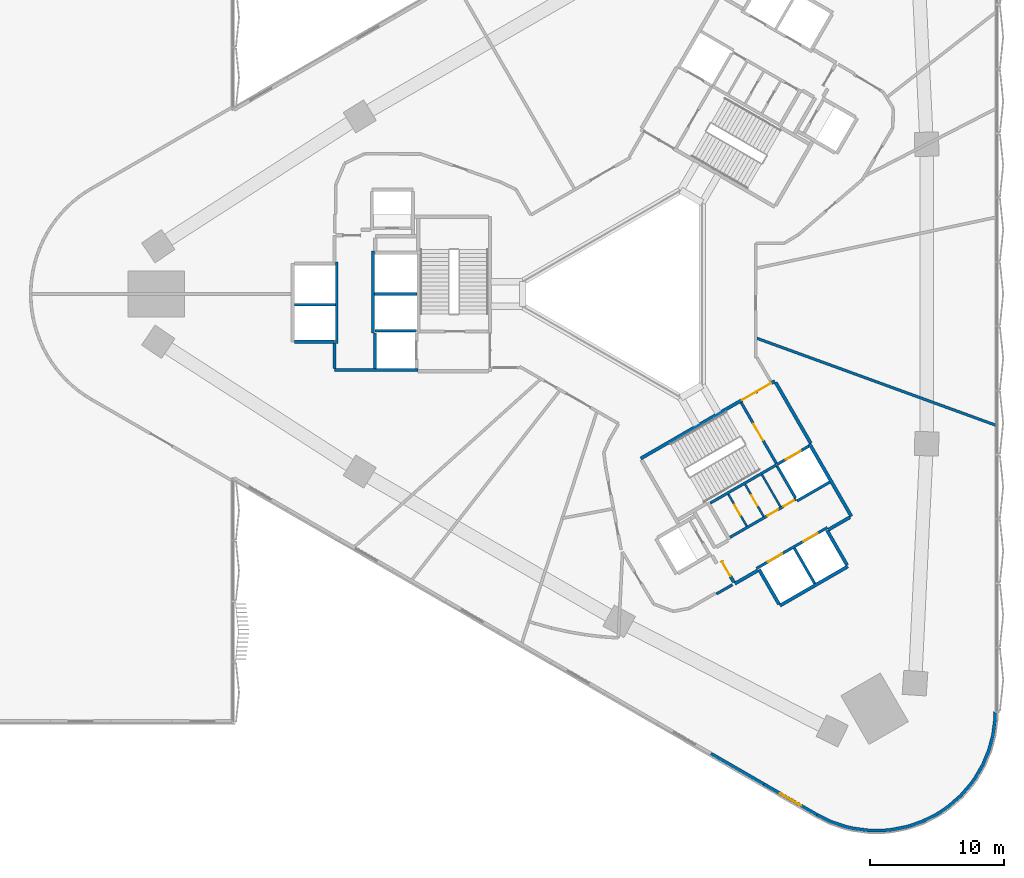
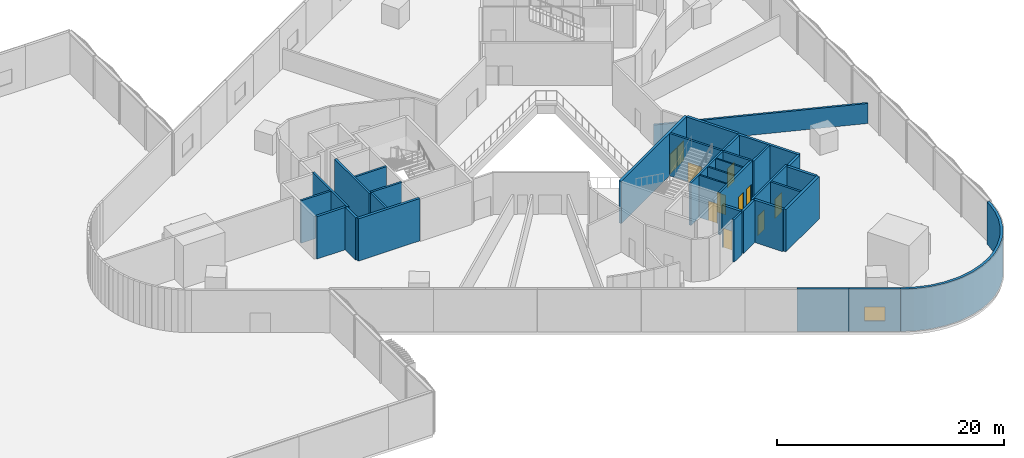
# One storey, part 13 of 24: 34 walls, 11 doors, 1 window, 12 openings.
"""IFC4 building model written with IfcOpenShell, lengths in metres."""

import ifcopenshell
import ifcopenshell.guid

model = None  # the IFC model being written
_history = None  # IfcOwnerHistory: only IFC2X3 demands one
_inside = {}  # id of a spatial element -> (the spatial element, [elements in it])
_under = {}  # id of a project, library or spatial element -> (it, [spatial elements below it])
_declared = {}  # id of a project -> (the project, [libraries it declares])
_typed = {}  # id of a type object -> (the type object, [elements of that type])
_made_of = {}  # id of a material, layer set ... -> (it, [elements and type objects made of it])


def new_model(schema):
    """Start an empty IFC model of exactly this schema.

    Asked for "IFC4X3", IfcOpenShell would pick the latest addendum, in which some entities
    have other attributes; the version numbers below select the first issue.
    IFC2X3 requires an IfcOwnerHistory on every rooted entity: one is made here for all.
    """
    global model, _history
    if schema == "IFC4X3":
        model = ifcopenshell.file(schema_version=(4, 3, 0, 0))
    else:
        model = ifcopenshell.file(schema=schema)
    _inside.clear()
    _under.clear()
    _declared.clear()
    _typed.clear()
    _made_of.clear()
    _history = None
    if model.schema == "IFC2X3":
        org = make("IfcOrganization", Name="unknown")
        user = make(
            "IfcPersonAndOrganization",
            ThePerson=make("IfcPerson", FamilyName="unknown"),
            TheOrganization=org,
        )
        app = make(
            "IfcApplication",
            ApplicationDeveloper=org,
            Version="unknown",
            ApplicationFullName="unknown",
            ApplicationIdentifier="unknown",
        )
        _history = make(
            "IfcOwnerHistory",
            OwningUser=user,
            OwningApplication=app,
            ChangeAction="ADDED",
            CreationDate=0,
        )
    return model


def make(cls, **values):
    """One entity of the class cls with the attributes given. An attribute that is None is left unset."""
    return model.create_entity(
        cls, **{name: value for name, value in values.items() if value is not None}
    )


def rooted(cls, **values):
    """An entity with a GlobalId (a new one), such as an element, a storey or a relation."""
    return make(cls, GlobalId=ifcopenshell.guid.new(), OwnerHistory=_history, **values)


def si_unit(unit_type, name, prefix=None):
    """IfcSIUnit, for example si_unit("LENGTHUNIT", "METRE", prefix="MILLI")."""
    return make("IfcSIUnit", UnitType=unit_type, Prefix=prefix, Name=name)


def assignment(units):
    """IfcUnitAssignment: the units of a project."""
    return None if units is None else make("IfcUnitAssignment", Units=units)


def point(xyz):
    """IfcCartesianPoint."""
    return None if xyz is None else make("IfcCartesianPoint", Coordinates=xyz)


def direction(xyz):
    """IfcDirection."""
    return None if xyz is None else make("IfcDirection", DirectionRatios=xyz)


def frame(location, z_axis=None, x_axis=None):
    """IfcAxis2Placement3D, a coordinate frame: its origin and axes. An axis left out is left unset."""
    return make(
        "IfcAxis2Placement3D",
        Location=point(location),
        Axis=direction(z_axis),
        RefDirection=direction(x_axis),
    )


def frame_2d(location, x_axis=None):
    """IfcAxis2Placement2D, a coordinate frame in the plane: its origin and x axis."""
    return make(
        "IfcAxis2Placement2D", Location=point(location), RefDirection=direction(x_axis)
    )


def origin():
    """The frame at (0, 0, 0) with its axes left unset."""
    return frame((0.0, 0.0, 0.0))


def place(relative_to, where):
    """IfcLocalPlacement: puts the frame where relative to a parent placement (None: the world)."""
    return make(
        "IfcLocalPlacement", PlacementRelTo=relative_to, RelativePlacement=where
    )


def context(
    kind, dimensions, precision=None, world=None, true_north=None, identifier=None
):
    """IfcGeometricRepresentationContext, for example the 3D "Model" context."""
    return make(
        "IfcGeometricRepresentationContext",
        ContextIdentifier=identifier,
        ContextType=kind,
        CoordinateSpaceDimension=dimensions,
        Precision=precision,
        WorldCoordinateSystem=world,
        TrueNorth=true_north,
    )


def subcontext(parent, identifier, kind, view, scale=None):
    """IfcGeometricRepresentationSubContext, for example "Body" below "Model"."""
    return make(
        "IfcGeometricRepresentationSubContext",
        ContextIdentifier=identifier,
        ContextType=kind,
        ParentContext=parent,
        TargetScale=scale,
        TargetView=view,
    )


def project(units=None, contexts=None):
    """IfcProject with its units and contexts."""
    return rooted(
        "IfcProject",
        Name="project",
        RepresentationContexts=contexts,
        UnitsInContext=assignment(units),
    )


def spatial(cls, under=None, at=None, **own):
    """A site, building, storey or space (cls), placed at a placement, below another one or the project."""
    s = rooted(cls, ObjectPlacement=at, **own)
    if under is not None:
        _under.setdefault(under.id(), (under, []))[1].append(s)
    return s


def polyline(points):
    """IfcPolyline through the points."""
    return make("IfcPolyline", Points=[point(p) for p in points])


def profile(cls, at=None, kind="AREA", **sizes):
    """A parametric profile (cls). Its sizes go by their IFC names, for example OverallWidth=200.0."""
    return make(cls, ProfileType=kind, Position=at, **sizes)


def rectangle(**sizes):
    """IfcRectangleProfileDef."""
    return profile("IfcRectangleProfileDef", **sizes)


def outline(outer, holes=None, kind="AREA"):
    """IfcArbitraryClosedProfileDef: a profile drawn as a closed curve; with holes, ...WithVoids."""
    if holes is None:
        return make("IfcArbitraryClosedProfileDef", ProfileType=kind, OuterCurve=outer)
    return make(
        "IfcArbitraryProfileDefWithVoids",
        ProfileType=kind,
        OuterCurve=outer,
        InnerCurves=holes,
    )


def extrude(swept, where, along, depth):
    """IfcExtrudedAreaSolid: the profile swept, set in the frame where, extruded along a direction by depth."""
    return make(
        "IfcExtrudedAreaSolid",
        SweptArea=swept,
        Position=where,
        ExtrudedDirection=direction(along),
        Depth=depth,
    )


def shape(context_of_items, identifier, shape_type, items):
    """IfcShapeRepresentation: the items that make up one representation, for example the "Body"."""
    return make(
        "IfcShapeRepresentation",
        ContextOfItems=context_of_items,
        RepresentationIdentifier=identifier,
        RepresentationType=shape_type,
        Items=items,
    )


def material(Name=None, Category=None):
    """IfcMaterial."""
    return make("IfcMaterial", Name=Name, Category=Category)


def layer(
    of_material, thickness, ventilated=None, Name=None, Category=None, Priority=None
):
    """IfcMaterialLayer: one layer of a wall or slab, of a material (None: an air gap)."""
    return make(
        "IfcMaterialLayer",
        Material=of_material,
        LayerThickness=thickness,
        IsVentilated=ventilated,
        Name=Name,
        Category=Category,
        Priority=Priority,
    )


def layer_set(layers, Name=None):
    """IfcMaterialLayerSet."""
    return make("IfcMaterialLayerSet", MaterialLayers=layers, LayerSetName=Name)


def made_of(thing, what):
    """Note that an element or type object is made of a material, layer set ...; save() writes the relation."""
    if what is not None:
        _made_of.setdefault(what.id(), (what, []))[1].append(thing)
    return thing


def type_object(cls, material=None, **own):
    """A type object (cls), such as IfcWallType, which elements share."""
    return made_of(rooted(cls, **own), material)


def element(
    cls,
    number,
    at=None,
    inside=None,
    cuts=None,
    type_object=None,
    material=None,
    context=None,
    identifier="Body",
    shape_type=None,
    held_by="IfcProductDefinitionShape",
    body=None,
    shapes=None,
    **own,
):
    """One element of the class cls, such as IfcWall. Its Tag is "e" and its number.

    at: its placement. inside: the storey or other place that contains it. cuts: it is an
    opening in that element (IfcRelVoidsElement). A single representation is given by context,
    identifier, shape_type and body (its items); several are given by shapes. held_by: the class
    of the entity that holds the representations. save() writes the other relations.
    """
    e = rooted(cls, Tag="e%d" % number, ObjectPlacement=at, **own)
    if body is not None:
        shapes = [shape(context, identifier, shape_type, body)]
    if shapes is not None:
        e.Representation = make(held_by, Representations=shapes)
    if inside is not None:
        _inside.setdefault(inside.id(), (inside, []))[1].append(e)
    if cuts is not None:
        rooted(
            "IfcRelVoidsElement", RelatingBuildingElement=cuts, RelatedOpeningElement=e
        )
    if type_object is not None:
        _typed.setdefault(type_object.id(), (type_object, []))[1].append(e)
    return made_of(e, material)


def fill(opening, filler):
    """IfcRelFillsElement: the door or window that sits in an opening."""
    return rooted(
        "IfcRelFillsElement",
        RelatingOpeningElement=opening,
        RelatedBuildingElement=filler,
    )


def aggregate(whole, parts):
    """IfcRelAggregates: a whole, such as a stair, and the parts it consists of."""
    return rooted("IfcRelAggregates", RelatingObject=whole, RelatedObjects=parts)


def save(model, path):
    """Write the relations noted so far, then the file.

    IfcRelAggregates (storeys below a building ...), IfcRelContainedInSpatialStructure (elements
    in a storey), IfcRelDefinesByType, IfcRelAssociatesMaterial and IfcRelDeclares: one each for
    every whole, place, type object, material and project.
    """
    for whole, parts in _under.values():
        aggregate(whole, parts)
    for where, things in _inside.values():
        rooted(
            "IfcRelContainedInSpatialStructure",
            RelatedElements=things,
            RelatingStructure=where,
        )
    for kind, things in _typed.values():
        rooted("IfcRelDefinesByType", RelatedObjects=things, RelatingType=kind)
    for what, things in _made_of.values():
        rooted("IfcRelAssociatesMaterial", RelatedObjects=things, RelatingMaterial=what)
    for by, libraries in _declared.values():
        rooted("IfcRelDeclares", RelatingContext=by, RelatedDefinitions=libraries)
    model.write(path)


model = new_model("IFC4")

# Units and contexts
model_context = context("Model", 3, precision=1e-05, world=origin(), true_north=direction((0.0, 1.0)))
body_context = subcontext(model_context, "Body", "Model", "MODEL_VIEW")
ifc_project = project(units=[si_unit("LENGTHUNIT", "METRE"), si_unit("AREAUNIT", "SQUARE_METRE"), si_unit("VOLUMEUNIT", "CUBIC_METRE"), si_unit("PLANEANGLEUNIT", "RADIAN"), si_unit("MASSUNIT", "GRAM", prefix="KILO")], contexts=[model_context])

# Site, building, storey
site_placement = place(None, origin())
site = spatial("IfcSite", under=ifc_project, at=site_placement, CompositionType="ELEMENT")
building_placement = place(site_placement, origin())
building = spatial("IfcBuilding", under=site, at=building_placement, Name="Tamra Quay Hotel Tower", CompositionType="ELEMENT")
storey_placement = place(building_placement, frame((0.0, 0.0, 19.5)))
storey = spatial("IfcBuildingStorey", under=building, at=storey_placement, Name="L03", CompositionType="ELEMENT", Elevation=19.5)

# Walls
ifc_material_1 = material(Name="Concrete M70", Category="concrete")
ifc_layer_1 = layer(ifc_material_1, 0.199951171875)
ifc_layer_set_1 = layer_set([ifc_layer_1], Name="Concrete M70 core wall 200")
wall_type_1 = type_object("IfcWallType", Name="Concrete M70 core wall 200", PredefinedType="SHEAR", material=ifc_layer_set_1)
for number, where, z_axis, x_axis, name in (
    (1, (-19.5625, -2.900146484375, 0.0), (0.0, 0.0, 1.0), (0.0, 1.0, 0.0), "CW2"),
    (2, (-22.26220703125, 2.400146484375, 0.0), (0.0, 0.0, 1.0), (0.0, -1.0, 0.0), "CW2"),
):
    element("IfcWall", number, at=place(storey_placement, frame(where, z_axis=z_axis, x_axis=x_axis)), inside=storey, type_object=wall_type_1, Name=name, PredefinedType="SHEAR", context=body_context, shape_type="SweptSolid", body=[
        extrude(rectangle(XDim=6.100341796875, YDim=0.199951171875, at=frame_2d((3.05029296875, 0.0))), origin(), (0.0, 0.0, 1.0), 4.550048828125),
    ])
wall_1_placement = place(storey_placement, frame((-16.26318359375, 0.0, 0.0), z_axis=(0.0, 0.0, 1.0), x_axis=(-1.0, 0.0, 0.0)))
element("IfcWall", 3, at=wall_1_placement, inside=storey, type_object=wall_type_1, Name="CW2", PredefinedType="SHEAR", context=body_context, shape_type="SweptSolid", body=[
    extrude(rectangle(XDim=3.1982421875, YDim=0.199951171875, at=frame_2d((1.59912109375, 0.0))), origin(), (0.0, 0.0, 1.0), 4.550048828125),
])
wall_2_placement = place(storey_placement, frame((-22.36328125, -0.800048828125, 0.0), z_axis=(0.0, 0.0, 1.0), x_axis=(-1.0, 0.0, 0.0)))
element("IfcWall", 4, at=wall_2_placement, inside=storey, type_object=wall_type_1, Name="CW2", PredefinedType="SHEAR", context=body_context, shape_type="SweptSolid", body=[
    extrude(rectangle(XDim=3.048095703125, YDim=0.199951171875, at=frame_2d((1.52392578125, 0.0))), origin(), (0.0, 0.0, 1.0), 4.550048828125),
])
wall_3_placement = place(storey_placement, frame((-19.412353515625, -2.75, 0.0), z_axis=(0.0, 0.0, 1.0), x_axis=(1.0, 0.0, 0.0)))
element("IfcWall", 5, at=wall_3_placement, inside=storey, type_object=wall_type_1, Name="CW2", PredefinedType="SHEAR", context=body_context, shape_type="SweptSolid", body=[
    extrude(rectangle(XDim=3.10009765625, YDim=0.199951171875, at=frame_2d((1.550048828125, 0.0))), origin(), (0.0, 0.0, 1.0), 4.550048828125),
])
wall_4_placement = place(storey_placement, frame((-19.412353515625, -5.549072265625, 0.0), z_axis=(0.0, 0.0, 1.0), x_axis=(0.0, 1.0, 0.0)))
element("IfcWall", 6, at=wall_4_placement, inside=storey, type_object=wall_type_1, Name="CW2", PredefinedType="SHEAR", context=body_context, shape_type="SweptSolid", body=[
    extrude(rectangle(XDim=2.65087890625, YDim=0.199951171875, at=frame_2d((1.325439453125, 0.0))), origin(), (0.0, 0.0, 1.0), 4.550048828125),
])

# Wall, openings, doors
wall_5_placement = place(storey_placement, frame((9.052490234375, -20.479736328125, 0.0), z_axis=(0.0, 0.0, 1.0), x_axis=(0.866030299012, 0.499991521122, 0.0)))
wall_5 = element("IfcWall", 7, at=wall_5_placement, inside=storey, type_object=wall_type_1, Name="CW2", PredefinedType="SHEAR", context=body_context, shape_type="SweptSolid", body=[
    extrude(rectangle(XDim=6.10009765625, YDim=0.199951171875, at=frame_2d((3.050048828125, 0.0))), origin(), (0.0, 0.0, 1.0), 4.550048828125),
])
opening_1_placement = place(wall_5_placement, frame((1.0, 0.0, 0.0)))
opening_1 = element("IfcOpeningElement", 8, at=opening_1_placement, cuts=wall_5, Name="Opening LD", PredefinedType="OPENING", context=body_context, shape_type="SweptSolid", body=[
    extrude(rectangle(XDim=1.199951171875, YDim=2.10009765625, at=frame_2d((0.60009765625, 1.050048828125))), frame((0.0, 0.10986328125, 0.0), z_axis=(0.0, -1.0, 0.0), x_axis=(1.0, 0.0, 0.0)), (0.0, 0.0, 1.0), 0.219970703125),
])
opening_2_placement = place(wall_5_placement, frame((4.05029296875, 0.0, 0.0)))
opening_2 = element("IfcOpeningElement", 9, at=opening_2_placement, cuts=wall_5, Name="Opening LD", PredefinedType="OPENING", context=body_context, shape_type="SweptSolid", body=[
    extrude(rectangle(XDim=1.199951171875, YDim=2.10009765625, at=frame_2d((0.60009765625, 1.050048828125))), frame((0.0, 0.10986328125, 0.0), z_axis=(0.0, -1.0, 0.0), x_axis=(1.0, 0.0, 0.0)), (0.0, 0.0, 1.0), 0.219970703125),
])
ifc_material_2 = material(Name="Landing door LD 1200 double door sliding")
door_type_1 = type_object("IfcDoorType", Name="Landing door LD 1200 double door sliding", OperationType="DOUBLE_DOOR_SLIDING", PredefinedType="DOOR", material=ifc_material_2)
door_1_placement = place(opening_1_placement, origin())
door_1 = element("IfcDoor", 10, at=door_1_placement, inside=storey, type_object=door_type_1, Name="LD", OperationType="DOUBLE_DOOR_SLIDING", OverallHeight=2.10009765625, OverallWidth=1.199951171875, PredefinedType="DOOR", context=body_context, shape_type="SweptSolid", body=[
    extrude(rectangle(XDim=1.199951171875, YDim=2.10009765625, at=frame_2d((0.60009765625, 1.050048828125))), frame((0.0, 0.02490234375, 0.0), z_axis=(0.0, -1.0, 0.0), x_axis=(1.0, 0.0, 0.0)), (0.0, 0.0, 1.0), 0.050048828125),
])
fill(opening_1, door_1)
door_2_placement = place(opening_2_placement, origin())
door_2 = element("IfcDoor", 11, at=door_2_placement, inside=storey, type_object=door_type_1, Name="LD", OperationType="DOUBLE_DOOR_SLIDING", OverallHeight=2.10009765625, OverallWidth=1.199951171875, PredefinedType="DOOR", context=body_context, shape_type="SweptSolid", body=[
    extrude(rectangle(XDim=1.199951171875, YDim=2.10009765625, at=frame_2d((0.60009765625, 1.050048828125))), frame((0.0, 0.02490234375, 0.0), z_axis=(0.0, -1.0, 0.0), x_axis=(1.0, 0.0, 0.0)), (0.0, 0.0, 1.0), 0.050048828125),
])
fill(opening_2, door_2)

# Wall
wall_6_placement = place(storey_placement, frame((10.537841796875, -12.751953125, 0.0), z_axis=(0.0, 0.0, 1.0), x_axis=(-0.866038630372, -0.499977090179, 0.0)))
element("IfcWall", 12, at=wall_6_placement, inside=storey, type_object=wall_type_1, Name="CW2", PredefinedType="SHEAR", context=body_context, shape_type="SweptSolid", body=[
    extrude(rectangle(XDim=5.698974609375, YDim=0.199951171875, at=frame_2d((2.849609375, 0.0))), origin(), (0.0, 0.0, 1.0), 4.550048828125),
])

# Wall, openings, doors
wall_7_placement = place(storey_placement, frame((7.0771484375, -18.156005859375, 0.0), z_axis=(0.0, 0.0, 1.0), x_axis=(0.866038630372, 0.499977090179, 0.0)))
wall_7 = element("IfcWall", 13, at=wall_7_placement, inside=storey, type_object=wall_type_1, Name="CW2", PredefinedType="SHEAR", context=body_context, shape_type="SweptSolid", body=[
    extrude(rectangle(XDim=5.698974609375, YDim=0.199951171875, at=frame_2d((2.849609375, 0.0))), origin(), (0.0, 0.0, 1.0), 4.550048828125),
])
opening_3_placement = place(wall_7_placement, frame((3.22412109375, 0.0, 0.0)))
opening_3 = element("IfcOpeningElement", 14, at=opening_3_placement, cuts=wall_7, Name="Opening D2", PredefinedType="OPENING", context=body_context, shape_type="SweptSolid", body=[
    extrude(rectangle(XDim=0.89990234375, YDim=2.10009765625, at=frame_2d((0.449951171875, 1.050048828125))), frame((0.0, 0.10986328125, 0.0), z_axis=(0.0, -1.0, 0.0), x_axis=(1.0, 0.0, 0.0)), (0.0, 0.0, 1.0), 0.219970703125),
])
opening_4_placement = place(wall_7_placement, frame((4.59912109375, 0.0, 0.0)))
opening_4 = element("IfcOpeningElement", 15, at=opening_4_placement, cuts=wall_7, Name="Opening D2", PredefinedType="OPENING", context=body_context, shape_type="SweptSolid", body=[
    extrude(rectangle(XDim=0.89990234375, YDim=2.10009765625, at=frame_2d((0.449951171875, 1.050048828125))), frame((0.0, 0.10986328125, 0.0), z_axis=(0.0, -1.0, 0.0), x_axis=(1.0, 0.0, 0.0)), (0.0, 0.0, 1.0), 0.219970703125),
])
ifc_material_3 = material(Name="Core door D2 900x2100 LH")
door_type_2 = type_object("IfcDoorType", Name="Core door D2 900x2100 LH", OperationType="NOTDEFINED", PredefinedType="DOOR", material=ifc_material_3)
door_3_placement = place(opening_4_placement, origin())
door_3 = element("IfcDoor", 16, at=door_3_placement, inside=storey, type_object=door_type_2, Name="D2", OperationType="SINGLE_SWING_LEFT", OverallHeight=2.10009765625, OverallWidth=0.89990234375, PredefinedType="DOOR", context=body_context, shape_type="SweptSolid", body=[
    extrude(rectangle(XDim=0.89990234375, YDim=2.10009765625, at=frame_2d((0.449951171875, 1.050048828125))), frame((0.0, 0.02490234375, 0.0), z_axis=(0.0, -1.0, 0.0), x_axis=(1.0, 0.0, 0.0)), (0.0, 0.0, 1.0), 0.050048828125),
])
fill(opening_4, door_3)
ifc_material_4 = material(Name="Core door D2 900x2100 RH")
door_type_3 = type_object("IfcDoorType", Name="Core door D2 900x2100 RH", OperationType="NOTDEFINED", PredefinedType="DOOR", material=ifc_material_4)
door_4_placement = place(opening_3_placement, origin())
door_4 = element("IfcDoor", 17, at=door_4_placement, inside=storey, type_object=door_type_3, Name="D2", OperationType="SINGLE_SWING_RIGHT", OverallHeight=2.10009765625, OverallWidth=0.89990234375, PredefinedType="DOOR", context=body_context, shape_type="SweptSolid", body=[
    extrude(rectangle(XDim=0.89990234375, YDim=2.10009765625, at=frame_2d((0.449951171875, 1.050048828125))), frame((0.0, 0.02490234375, 0.0), z_axis=(0.0, -1.0, 0.0), x_axis=(1.0, 0.0, 0.0)), (0.0, 0.0, 1.0), 0.050048828125),
])
fill(opening_3, door_4)

# Wall, opening, door
wall_8_placement = place(storey_placement, frame((7.906494140625, -8.094482421875, 0.0), z_axis=(0.0, 0.0, 1.0), x_axis=(0.500024287448, -0.866011380966, 0.0)))
wall_8 = element("IfcWall", 18, at=wall_8_placement, inside=storey, type_object=wall_type_1, Name="CW2", PredefinedType="SHEAR", context=body_context, shape_type="SweptSolid", body=[
    extrude(rectangle(XDim=5.251220703125, YDim=0.199951171875, at=frame_2d((2.62548828125, 0.0))), origin(), (0.0, 0.0, 1.0), 4.550048828125),
])
opening_5_placement = place(wall_8_placement, frame((1.84912109375, 0.0, 0.0)))
opening_5 = element("IfcOpeningElement", 19, at=opening_5_placement, cuts=wall_8, Name="Opening FD2", PredefinedType="OPENING", context=body_context, shape_type="SweptSolid", body=[
    extrude(rectangle(XDim=1.39990234375, YDim=2.10009765625, at=frame_2d((0.699951171875, 1.050048828125))), frame((0.0, 0.10986328125, 0.0), z_axis=(0.0, -1.0, 0.0), x_axis=(1.0, 0.0, 0.0)), (0.0, 0.0, 1.0), 0.219970703125),
])
ifc_material_5 = material(Name="Core door FD2 1400x2100 LH")
door_type_4 = type_object("IfcDoorType", Name="Core door FD2 1400x2100 LH", OperationType="NOTDEFINED", PredefinedType="DOOR", material=ifc_material_5)
door_5_placement = place(opening_5_placement, origin())
door_5 = element("IfcDoor", 20, at=door_5_placement, inside=storey, type_object=door_type_4, Name="FD2", OperationType="SINGLE_SWING_LEFT", OverallHeight=2.10009765625, OverallWidth=1.39990234375, PredefinedType="DOOR", context=body_context, shape_type="SweptSolid", body=[
    extrude(rectangle(XDim=1.39990234375, YDim=2.10009765625, at=frame_2d((0.699951171875, 1.050048828125))), frame((0.0, 0.02490234375, 0.0), z_axis=(0.0, -1.0, 0.0), x_axis=(1.0, 0.0, 0.0)), (0.0, 0.0, 1.0), 0.050048828125),
])
fill(opening_5, door_5)

# Walls
wall_9_placement = place(storey_placement, frame((11.87451171875, -18.967041015625, 0.0), z_axis=(0.0, 0.0, 1.0), x_axis=(0.49998131003, -0.866036194175, 0.0)))
element("IfcWall", 21, at=wall_9_placement, inside=storey, type_object=wall_type_1, Name="CW2", PredefinedType="SHEAR", context=body_context, shape_type="SweptSolid", body=[
    extrude(rectangle(XDim=3.0478515625, YDim=0.199951171875, at=frame_2d((1.52392578125, 0.0))), origin(), (0.0, 0.0, 1.0), 4.550048828125),
])
wall_10_placement = place(storey_placement, frame((11.962646484375, -15.219970703125, 0.0), z_axis=(0.0, 0.0, 1.0), x_axis=(-0.500034990121, 0.866005201286, 0.0)))
element("IfcWall", 22, at=wall_10_placement, inside=storey, type_object=wall_type_1, Name="CW2", PredefinedType="SHEAR", context=body_context, shape_type="SweptSolid", body=[
    extrude(rectangle(XDim=2.749755859375, YDim=0.199951171875, at=frame_2d((1.375, 0.0))), origin(), (0.0, 0.0, 1.0), 4.550048828125),
])

# Wall, opening, door
wall_11_placement = place(storey_placement, frame((10.587158203125, -12.72314453125, 0.0), z_axis=(0.0, 0.0, 1.0), x_axis=(0.866037306777, 0.499979382845, 0.0)))
wall_11 = element("IfcWall", 23, at=wall_11_placement, inside=storey, type_object=wall_type_1, Name="CW2", PredefinedType="SHEAR", context=body_context, shape_type="SweptSolid", body=[
    extrude(rectangle(XDim=2.74169921875, YDim=0.199951171875, at=frame_2d((1.370849609375, 0.0))), origin(), (0.0, 0.0, 1.0), 4.550048828125),
])
opening_6_placement = place(wall_11_placement, frame((0.742919921875, 0.0, 0.0)))
opening_6 = element("IfcOpeningElement", 24, at=opening_6_placement, cuts=wall_11, Name="Opening LD", PredefinedType="OPENING", context=body_context, shape_type="SweptSolid", body=[
    extrude(rectangle(XDim=1.300048828125, YDim=2.10009765625, at=frame_2d((0.64990234375, 1.050048828125))), frame((0.0, 0.10986328125, 0.0), z_axis=(0.0, -1.0, 0.0), x_axis=(1.0, 0.0, 0.0)), (0.0, 0.0, 1.0), 0.219970703125),
])
ifc_material_6 = material(Name="Landing door LD 1300 sliding to left")
door_type_5 = type_object("IfcDoorType", Name="Landing door LD 1300 sliding to left", OperationType="NOTDEFINED", PredefinedType="DOOR", material=ifc_material_6)
door_6_placement = place(opening_6_placement, origin())
door_6 = element("IfcDoor", 25, at=door_6_placement, inside=storey, type_object=door_type_5, Name="LD", OperationType="SLIDING_TO_LEFT", OverallHeight=2.10009765625, OverallWidth=1.300048828125, PredefinedType="DOOR", context=body_context, shape_type="SweptSolid", body=[
    extrude(rectangle(XDim=1.300048828125, YDim=2.10009765625, at=frame_2d((0.64990234375, 1.050048828125))), frame((0.0, 0.02490234375, 0.0), z_axis=(0.0, -1.0, 0.0), x_axis=(1.0, 0.0, 0.0)), (0.0, 0.0, 1.0), 0.050048828125),
])
fill(opening_6, door_6)

# Walls
wall_12_placement = place(storey_placement, frame((14.51171875, -14.037109375, 0.0), z_axis=(0.0, 0.0, 1.0), x_axis=(-0.866044696403, -0.499966582715, 0.0)))
element("IfcWall", 26, at=wall_12_placement, inside=storey, type_object=wall_type_1, Name="CW2", PredefinedType="SHEAR", context=body_context, shape_type="SweptSolid", body=[
    extrude(rectangle(XDim=2.799072265625, YDim=0.199951171875, at=frame_2d((1.3994140625, 0.0))), origin(), (0.0, 0.0, 1.0), 4.550048828125),
])
ifc_layer_2 = layer(ifc_material_1, 0.25)
ifc_layer_set_2 = layer_set([ifc_layer_2], Name="Concrete M70 core wall 250")
wall_type_2 = type_object("IfcWallType", Name="Concrete M70 core wall 250", PredefinedType="SHEAR", material=ifc_layer_set_2)
wall_13_placement = place(storey_placement, frame((-16.187255859375, -5.675048828125, 0.0), z_axis=(0.0, 0.0, 1.0), x_axis=(-1.0, 0.0, 0.0)))
element("IfcWall", 27, at=wall_13_placement, inside=storey, type_object=wall_type_2, Name="CW1", PredefinedType="SHEAR", context=body_context, shape_type="SweptSolid", body=[
    extrude(rectangle(XDim=6.25, YDim=0.25, at=frame_2d((3.125, 0.0))), origin(), (0.0, 0.0, 1.0), 4.550048828125),
])
wall_14_placement = place(storey_placement, frame((-22.437255859375, -3.574951171875, 0.0), z_axis=(0.0, 0.0, 1.0), x_axis=(-1.0, 0.0, 0.0)))
element("IfcWall", 28, at=wall_14_placement, inside=storey, type_object=wall_type_2, Name="CW1", PredefinedType="SHEAR", context=body_context, shape_type="SweptSolid", body=[
    extrude(rectangle(XDim=2.974609375, YDim=0.25, at=frame_2d((1.4873046875, 0.0))), origin(), (0.0, 0.0, 1.0), 4.550048828125),
])
wall_15_placement = place(storey_placement, frame((-22.437255859375, -5.549560546875, 0.0), z_axis=(0.0, 0.0, 1.0), x_axis=(0.0, 1.0, 0.0)))
element("IfcWall", 29, at=wall_15_placement, inside=storey, type_object=wall_type_2, Name="CW1", PredefinedType="SHEAR", context=body_context, shape_type="SweptSolid", body=[
    extrude(rectangle(XDim=1.84912109375, YDim=0.25, at=frame_2d((0.924560546875, 0.0))), origin(), (0.0, 0.0, 1.0), 4.550048828125),
])

# Wall, openings, doors
wall_16_placement = place(storey_placement, frame((0.417236328125, -12.27294921875, 0.0), z_axis=(0.0, 0.0, 1.0), x_axis=(0.866021906294, 0.500006057782, 0.0)))
wall_16 = element("IfcWall", 30, at=wall_16_placement, inside=storey, type_object=wall_type_2, Name="CW1", PredefinedType="SHEAR", context=body_context, shape_type="SweptSolid", body=[
    extrude(rectangle(XDim=11.550048828125, YDim=0.25, at=frame_2d((5.77490234375, 0.0))), origin(), (0.0, 0.0, 1.0), 4.550048828125),
])
opening_7_placement = place(wall_16_placement, frame((10.024658203125, 0.0, 0.0)))
opening_7 = element("IfcOpeningElement", 31, at=opening_7_placement, cuts=wall_16, Name="Opening FD1", PredefinedType="OPENING", context=body_context, shape_type="SweptSolid", body=[
    extrude(rectangle(XDim=1.199951171875, YDim=2.10009765625, at=frame_2d((0.60009765625, 1.050048828125))), frame((0.0, 0.135009765625, 0.0), z_axis=(0.0, -1.0, 0.0), x_axis=(1.0, 0.0, 0.0)), (0.0, 0.0, 1.0), 0.27001953125),
])
opening_8_placement = place(wall_16_placement, frame((8.724609375, 0.0, 0.0)))
opening_8 = element("IfcOpeningElement", 32, at=opening_8_placement, cuts=wall_16, Name="Opening FD1", PredefinedType="OPENING", context=body_context, shape_type="SweptSolid", body=[
    extrude(rectangle(XDim=1.199951171875, YDim=2.10009765625, at=frame_2d((0.60009765625, 1.050048828125))), frame((0.0, 0.135009765625, 0.0), z_axis=(0.0, -1.0, 0.0), x_axis=(1.0, 0.0, 0.0)), (0.0, 0.0, 1.0), 0.27001953125),
])
ifc_material_7 = material(Name="Core door FD1 1200x2100 LH")
door_type_6 = type_object("IfcDoorType", Name="Core door FD1 1200x2100 LH", OperationType="NOTDEFINED", PredefinedType="DOOR", material=ifc_material_7)
door_7_placement = place(opening_7_placement, origin())
door_7 = element("IfcDoor", 33, at=door_7_placement, inside=storey, type_object=door_type_6, Name="FD1", OperationType="SINGLE_SWING_LEFT", OverallHeight=2.10009765625, OverallWidth=1.199951171875, PredefinedType="DOOR", context=body_context, shape_type="SweptSolid", body=[
    extrude(rectangle(XDim=1.199951171875, YDim=2.10009765625, at=frame_2d((0.60009765625, 1.050048828125))), frame((0.0, 0.02490234375, 0.0), z_axis=(0.0, -1.0, 0.0), x_axis=(1.0, 0.0, 0.0)), (0.0, 0.0, 1.0), 0.050048828125),
])
fill(opening_7, door_7)
ifc_material_8 = material(Name="Core door FD1 1200x2100 RH")
door_type_7 = type_object("IfcDoorType", Name="Core door FD1 1200x2100 RH", OperationType="NOTDEFINED", PredefinedType="DOOR", material=ifc_material_8)
door_8_placement = place(opening_8_placement, origin())
door_8 = element("IfcDoor", 34, at=door_8_placement, inside=storey, type_object=door_type_7, Name="FD1", OperationType="SINGLE_SWING_RIGHT", OverallHeight=2.10009765625, OverallWidth=1.199951171875, PredefinedType="DOOR", context=body_context, shape_type="SweptSolid", body=[
    extrude(rectangle(XDim=1.199951171875, YDim=2.10009765625, at=frame_2d((0.60009765625, 1.050048828125))), frame((0.0, 0.02490234375, 0.0), z_axis=(0.0, -1.0, 0.0), x_axis=(1.0, 0.0, 0.0)), (0.0, 0.0, 1.0), 0.050048828125),
])
fill(opening_8, door_8)

# Walls
wall_17_placement = place(storey_placement, frame((13.00830078125, -11.18115234375, 0.0), z_axis=(0.0, 0.0, 1.0), x_axis=(0.500004234368, -0.866022959057, 0.0)))
element("IfcWall", 35, at=wall_17_placement, inside=storey, type_object=wall_type_2, Name="CW1", PredefinedType="SHEAR", context=body_context, shape_type="SweptSolid", body=[
    extrude(rectangle(XDim=6.25, YDim=0.25, at=frame_2d((3.125, 0.0))), origin(), (0.0, 0.0, 1.0), 4.550048828125),
])
wall_18_placement = place(storey_placement, frame((15.86474609375, -20.328369140625, 0.0), z_axis=(0.0, 0.0, 1.0), x_axis=(-0.86602852612, -0.499994591916, 0.0)))
element("IfcWall", 36, at=wall_18_placement, inside=storey, type_object=wall_type_2, Name="CW1", PredefinedType="SHEAR", context=body_context, shape_type="SweptSolid", body=[
    extrude(rectangle(XDim=5.85009765625, YDim=0.25, at=frame_2d((2.925048828125, 0.0))), origin(), (0.0, 0.0, 1.0), 4.550048828125),
])
wall_19_placement = place(storey_placement, frame((10.482666015625, -6.6064453125, 0.0), z_axis=(0.0, 0.0, 1.0), x_axis=(0.49999885962, -0.866026062182, 0.0)))
element("IfcWall", 37, at=wall_19_placement, inside=storey, type_object=wall_type_2, Name="CW1", PredefinedType="SHEAR", context=body_context, shape_type="SweptSolid", body=[
    extrude(rectangle(XDim=5.224609375, YDim=0.25, at=frame_2d((2.6123046875, 0.0))), origin(), (0.0, 0.0, 1.0), 4.550048828125),
])
for number, where, z_axis, x_axis, name in (
    (38, (14.314697265625, -17.643798828125, 0.0), (0.0, 0.0, 1.0), (0.500023226632, -0.866011993467, 0.0), "CW1"),
    (39, (10.73583984375, -23.144775390625, 0.0), (0.0, 0.0, 1.0), (-0.500023226632, 0.866011993467, 0.0), "CW1"),
):
    element("IfcWall", number, at=place(storey_placement, frame(where, z_axis=z_axis, x_axis=x_axis)), inside=storey, type_object=wall_type_2, Name=name, PredefinedType="SHEAR", context=body_context, shape_type="SweptSolid", body=[
        extrude(rectangle(XDim=2.974365234375, YDim=0.25, at=frame_2d((1.4873046875, 0.0))), origin(), (0.0, 0.0, 1.0), 4.550048828125),
    ])
wall_20_placement = place(storey_placement, frame((9.139892578125, -20.63134765625, 0.0), z_axis=(0.0, 0.0, 1.0), x_axis=(-0.866043531843, -0.499968599967, 0.0)))
element("IfcWall", 40, at=wall_20_placement, inside=storey, type_object=wall_type_2, Name="CW1", PredefinedType="SHEAR", context=body_context, shape_type="SweptSolid", body=[
    extrude(rectangle(XDim=1.974853515625, YDim=0.25, at=frame_2d((0.9873046875, 0.0))), origin(), (0.0, 0.0, 1.0), 4.550048828125),
])
wall_21_placement = place(storey_placement, frame((16.024658203125, -16.656494140625, 0.0), z_axis=(0.0, 0.0, 1.0), x_axis=(-0.866016279763, -0.500015802937, 0.0)))
element("IfcWall", 41, at=wall_21_placement, inside=storey, type_object=wall_type_2, Name="CW1", PredefinedType="SHEAR", context=body_context, shape_type="SweptSolid", body=[
    extrude(rectangle(XDim=1.84912109375, YDim=0.25, at=frame_2d((0.924560546875, 0.0))), origin(), (0.0, 0.0, 1.0), 4.550048828125),
])

# Wall, opening, door
wall_22_placement = place(storey_placement, frame((7.3671875, -21.51025390625, 0.0), z_axis=(0.0, 0.0, 1.0), x_axis=(-0.499983108224, 0.866035156036, 0.0)))
wall_22 = element("IfcWall", 42, at=wall_22_placement, inside=storey, type_object=wall_type_2, Name="CW1", PredefinedType="SHEAR", context=body_context, shape_type="SweptSolid", body=[
    extrude(rectangle(XDim=1.86474609375, YDim=0.25, at=frame_2d((0.932373046875, 0.0))), origin(), (0.0, 0.0, 1.0), 4.550048828125),
])
opening_9_placement = place(wall_22_placement, frame((0.53466796875, 0.0, 0.0)))
opening_9 = element("IfcOpeningElement", 43, at=opening_9_placement, cuts=wall_22, Name="Opening FD3", PredefinedType="OPENING", context=body_context, shape_type="SweptSolid", body=[
    extrude(rectangle(XDim=1.25, YDim=2.10009765625, at=frame_2d((0.625, 1.050048828125))), frame((0.0, 0.135009765625, 0.0), z_axis=(0.0, -1.0, 0.0), x_axis=(1.0, 0.0, 0.0)), (0.0, 0.0, 1.0), 0.27001953125),
])
ifc_material_9 = material(Name="Core door FD3 1250x2100 LH")
door_type_8 = type_object("IfcDoorType", Name="Core door FD3 1250x2100 LH", OperationType="NOTDEFINED", PredefinedType="DOOR", material=ifc_material_9)
door_9_placement = place(opening_9_placement, origin())
door_9 = element("IfcDoor", 44, at=door_9_placement, inside=storey, type_object=door_type_8, Name="FD3", OperationType="SINGLE_SWING_LEFT", OverallHeight=2.10009765625, OverallWidth=1.25, PredefinedType="DOOR", context=body_context, shape_type="SweptSolid", body=[
    extrude(rectangle(XDim=1.25, YDim=2.10009765625, at=frame_2d((0.625, 1.050048828125))), frame((0.0, 0.02490234375, 0.0), z_axis=(0.0, -1.0, 0.0), x_axis=(1.0, 0.0, 0.0)), (0.0, 0.0, 1.0), 0.050048828125),
])
fill(opening_9, door_9)

ifc_material_10 = material(Name="Blockwork", Category="masonry")
ifc_layer_3 = layer(ifc_material_10, 0.14990234375)
ifc_layer_set_3 = layer_set([ifc_layer_3], Name="Core partition block 150")
wall_type_3 = type_object("IfcWallType", Name="Core partition block 150", PredefinedType="PARTITIONING", material=ifc_layer_set_3)
wall_23_placement = place(storey_placement, frame((8.20654296875, -14.214111328125, 0.0), z_axis=(0.0, 0.0, 1.0), x_axis=(0.50002746344, -0.86600954718, 0.0)))
wall_23 = element("IfcWall", 45, at=wall_23_placement, inside=storey, type_object=wall_type_3, Name="CP1", PredefinedType="PARTITIONING", context=body_context, shape_type="SweptSolid", body=[
    extrude(rectangle(XDim=2.748291015625, YDim=0.14990234375, at=frame_2d((1.3740234375, 0.0))), origin(), (0.0, 0.0, 1.0), 4.550048828125),
])
opening_10_placement = place(wall_23_placement, frame((0.92431640625, 0.0, 0.0)))
opening_10 = element("IfcOpeningElement", 46, at=opening_10_placement, cuts=wall_23, Name="Opening D2", PredefinedType="OPENING", context=body_context, shape_type="SweptSolid", body=[
    extrude(rectangle(XDim=0.89990234375, YDim=2.10009765625, at=frame_2d((0.449951171875, 1.050048828125))), frame((0.0, 0.0849609375, 0.0), z_axis=(0.0, -1.0, 0.0), x_axis=(1.0, 0.0, 0.0)), (0.0, 0.0, 1.0), 0.169921875),
])
door_10_placement = place(opening_10_placement, origin())
door_10 = element("IfcDoor", 47, at=door_10_placement, inside=storey, type_object=door_type_2, Name="D2", OperationType="SINGLE_SWING_LEFT", OverallHeight=2.10009765625, OverallWidth=0.89990234375, PredefinedType="DOOR", context=body_context, shape_type="SweptSolid", body=[
    extrude(rectangle(XDim=0.89990234375, YDim=2.10009765625, at=frame_2d((0.449951171875, 1.050048828125))), frame((0.0, 0.02490234375, 0.0), z_axis=(0.0, -1.0, 0.0), x_axis=(1.0, 0.0, 0.0)), (0.0, 0.0, 1.0), 0.050048828125),
])
fill(opening_10, door_10)

# Wall
wall_24_placement = place(storey_placement, frame((9.46240234375, -13.489013671875, 0.0), z_axis=(0.0, 0.0, 1.0), x_axis=(0.499988999718, -0.866031754707, 0.0)))
element("IfcWall", 48, at=wall_24_placement, inside=storey, type_object=wall_type_3, Name="CP1", PredefinedType="PARTITIONING", context=body_context, shape_type="SweptSolid", body=[
    extrude(rectangle(XDim=2.74853515625, YDim=0.14990234375, at=frame_2d((1.374267578125, 0.0))), origin(), (0.0, 0.0, 1.0), 4.550048828125),
])

# Wall, opening, door
wall_25_placement = place(storey_placement, frame((6.950927734375, -14.93896484375, 0.0), z_axis=(0.0, 0.0, 1.0), x_axis=(0.499988999718, -0.866031754707, 0.0)))
wall_25 = element("IfcWall", 49, at=wall_25_placement, inside=storey, type_object=wall_type_3, Name="CP1", PredefinedType="PARTITIONING", context=body_context, shape_type="SweptSolid", body=[
    extrude(rectangle(XDim=2.74853515625, YDim=0.14990234375, at=frame_2d((1.374267578125, 0.0))), origin(), (0.0, 0.0, 1.0), 4.550048828125),
])
opening_11_placement = place(wall_25_placement, frame((0.92431640625, 0.0, 0.0)))
opening_11 = element("IfcOpeningElement", 50, at=opening_11_placement, cuts=wall_25, Name="Opening D2", PredefinedType="OPENING", context=body_context, shape_type="SweptSolid", body=[
    extrude(rectangle(XDim=0.89990234375, YDim=2.10009765625, at=frame_2d((0.449951171875, 1.050048828125))), frame((0.0, 0.0849609375, 0.0), z_axis=(0.0, -1.0, 0.0), x_axis=(1.0, 0.0, 0.0)), (0.0, 0.0, 1.0), 0.169921875),
])
door_11_placement = place(opening_11_placement, origin())
door_11 = element("IfcDoor", 51, at=door_11_placement, inside=storey, type_object=door_type_3, Name="D2", OperationType="SINGLE_SWING_RIGHT", OverallHeight=2.10009765625, OverallWidth=0.89990234375, PredefinedType="DOOR", context=body_context, shape_type="SweptSolid", body=[
    extrude(rectangle(XDim=0.89990234375, YDim=2.10009765625, at=frame_2d((0.449951171875, 1.050048828125))), frame((0.0, 0.02490234375, 0.0), z_axis=(0.0, -1.0, 0.0), x_axis=(1.0, 0.0, 0.0)), (0.0, 0.0, 1.0), 0.050048828125),
])
fill(opening_11, door_11)

# Wall
ifc_material_11 = material(Name="Blockwork masonry plastered", Category="masonry")
ifc_layer_4 = layer(ifc_material_11, 0.25)
ifc_layer_set_4 = layer_set([ifc_layer_4], Name="EXTERNAL WALL 250")
wall_type_4 = type_object("IfcWallType", Name="EXTERNAL WALL 250", PredefinedType="SOLIDWALL", material=ifc_layer_set_4)
wall_26_placement = place(storey_placement, frame((9.60791015625, -36.579833984375, 0.0), z_axis=(0.0, 0.0, 1.0), x_axis=(-0.866023543838, 0.500003221507, 0.0)))
element("IfcWall", 52, at=wall_26_placement, inside=storey, type_object=wall_type_4, Name="EW1", PredefinedType="SOLIDWALL", context=body_context, shape_type="SweptSolid", body=[
    extrude(rectangle(XDim=4.56640625, YDim=0.25, at=frame_2d((2.283203125, 0.0))), origin(), (0.0, 0.0, 1.0), 4.550048828125),
])

# Wall, opening, window
wall_27_placement = place(storey_placement, frame((13.5625, -38.86279296875, 0.0), z_axis=(0.0, 0.0, 1.0), x_axis=(-0.866046694585, 0.499963121439, 0.0)))
wall_27 = element("IfcWall", 53, at=wall_27_placement, inside=storey, type_object=wall_type_4, Name="EW1", PredefinedType="SOLIDWALL", context=body_context, shape_type="SweptSolid", body=[
    extrude(rectangle(XDim=4.566162109375, YDim=0.25, at=frame_2d((2.283203125, 0.0))), origin(), (0.0, 0.0, 1.0), 4.550048828125),
])
opening_12_placement = place(wall_27_placement, frame((1.383056640625, 0.0, 1.10009765625)))
opening_12 = element("IfcOpeningElement", 54, at=opening_12_placement, cuts=wall_27, Name="Opening PW2", PredefinedType="OPENING", context=body_context, shape_type="SweptSolid", body=[
    extrude(rectangle(XDim=1.800048828125, YDim=1.5, at=frame_2d((0.89990234375, 0.75))), frame((0.0, 0.135009765625, 0.0), z_axis=(0.0, -1.0, 0.0), x_axis=(1.0, 0.0, 0.0)), (0.0, 0.0, 1.0), 0.27001953125),
])
ifc_material_12 = material(Name="Aluminium window with clear glass", Category="aluminium")
window_type = type_object("IfcWindowType", Name="PODIUM WINDOW 1800X1500", PartitioningType="DOUBLE_PANEL_VERTICAL", PredefinedType="WINDOW", material=ifc_material_12)
window_placement = place(opening_12_placement, origin())
window = element("IfcWindow", 55, at=window_placement, inside=storey, type_object=window_type, Name="PW2", OverallHeight=1.5, OverallWidth=1.800048828125, PartitioningType="SINGLE_PANEL", PredefinedType="WINDOW", context=body_context, shape_type="SweptSolid", body=[
    extrude(rectangle(XDim=1.800048828125, YDim=1.5, at=frame_2d((0.89990234375, 0.75))), frame((0.0, 0.030029296875, 0.0), z_axis=(0.0, -1.0, 0.0), x_axis=(1.0, 0.0, 0.0)), (0.0, 0.0, 1.0), 0.06005859375),
])
fill(opening_12, window)

# Walls
wall_28_placement = place(storey_placement, origin())
element("IfcWall", 56, at=wall_28_placement, inside=storey, type_object=wall_type_4, Name="EW1", PredefinedType="SOLIDWALL", context=body_context, shape_type="SweptSolid", body=[
    extrude(outline(polyline([(13.5, -38.97119140625), (14.555908203125, -39.491943359375), (15.670654296875, -39.870361328125), (16.244140625, -40.00390625), (17.411376953125, -40.15771484375), (18.588623046875, -40.15771484375), (19.1748046875, -40.099853515625), (20.329345703125, -39.870361328125), (21.444091796875, -39.491943359375), (22.5, -38.97119140625), (23.000244140625, -38.66015625), (23.478759765625, -38.317138671875), (24.364013671875, -37.540771484375), (25.14013671875, -36.65576171875), (25.483154296875, -36.177001953125), (26.07177734375, -35.157470703125), (26.5224609375, -34.06982421875), (26.8271484375, -32.9326171875), (26.980712890625, -31.765625), (27.0, -31.177001953125), (26.750244140625, -31.168701171875), (26.731201171875, -31.7451171875), (26.581298828125, -32.8837890625), (26.28515625, -33.9892578125), (25.84716796875, -35.046630859375), (25.27294921875, -36.04150390625), (24.944091796875, -36.500244140625), (24.186767578125, -37.36376953125), (23.3232421875, -38.12109375), (22.861083984375, -38.4521484375), (22.37841796875, -38.75244140625), (21.348388671875, -39.26025390625), (20.2646484375, -39.628173828125), (19.137939453125, -39.852294921875), (18.576416015625, -39.90771484375), (17.427734375, -39.90771484375), (16.2890625, -39.7578125), (15.7392578125, -39.629638671875), (14.651611328125, -39.26025390625), (13.610595703125, -38.746826171875), (13.5, -38.97119140625)])), origin(), (0.0, 0.0, 1.0), 4.550048828125),
])
ifc_material_13 = material(Name="Partition corridor wall")
ifc_layer_5 = layer(ifc_material_13, 0.199951171875)
ifc_layer_set_5 = layer_set([ifc_layer_5], Name="Partition corridor wall")
wall_type_5 = type_object("IfcWallType", Name="Partition corridor wall", PredefinedType="PARTITIONING", material=ifc_layer_set_5)
wall_29_placement = place(storey_placement, frame((6.055908203125, -22.384033203125, 0.0), z_axis=(0.0, 0.0, 1.0), x_axis=(0.866396419095, 0.499356831314, 0.0)))
element("IfcWall", 57, at=wall_29_placement, inside=storey, type_object=wall_type_5, Name="W-C", PredefinedType="PARTITIONING", context=body_context, shape_type="SweptSolid", body=[
    extrude(rectangle(XDim=1.387451171875, YDim=0.199951171875, at=frame_2d((0.69384765625, 0.0))), origin(), (0.0, 0.0, 1.0), 4.550048828125),
])
ifc_material_14 = material(Name="Partition party wall")
ifc_layer_6 = layer(ifc_material_14, 0.199951171875)
ifc_layer_set_6 = layer_set([ifc_layer_6], Name="Partition party wall")
wall_type_6 = type_object("IfcWallType", Name="Partition party wall", PredefinedType="PARTITIONING", material=ifc_layer_set_6)
wall_30_placement = place(storey_placement, frame((9.0029296875, -3.27587890625, 0.0), z_axis=(0.0, 0.0, 1.0), x_axis=(0.93968653248, -0.342036870345, 0.0)))
element("IfcWall", 58, at=wall_30_placement, inside=storey, type_object=wall_type_6, Name="W-P", PredefinedType="PARTITIONING", context=body_context, shape_type="SweptSolid", body=[
    extrude(rectangle(XDim=19.147216796875, YDim=0.199951171875, at=frame_2d((9.57373046875, 0.0))), origin(), (0.0, 0.0, 1.0), 2.14990234375),
])

save(model, "model.ifc")
